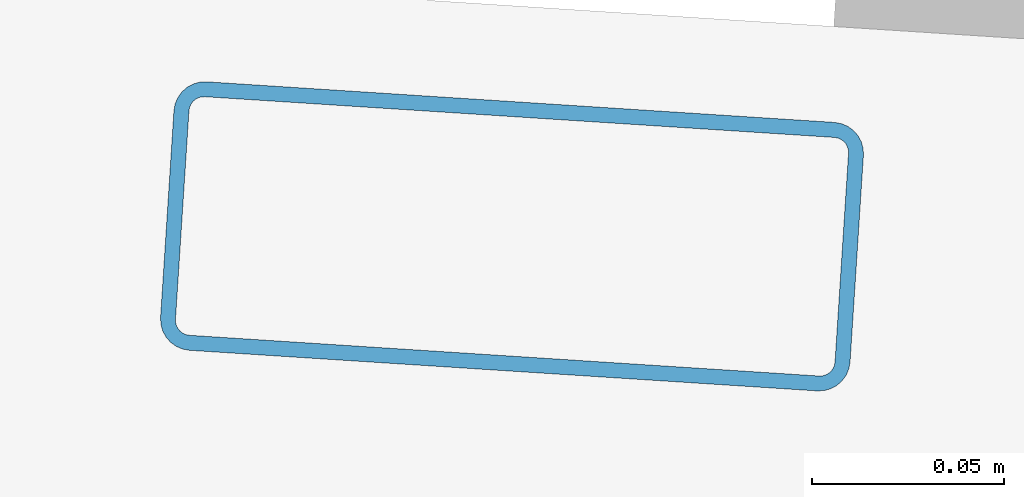
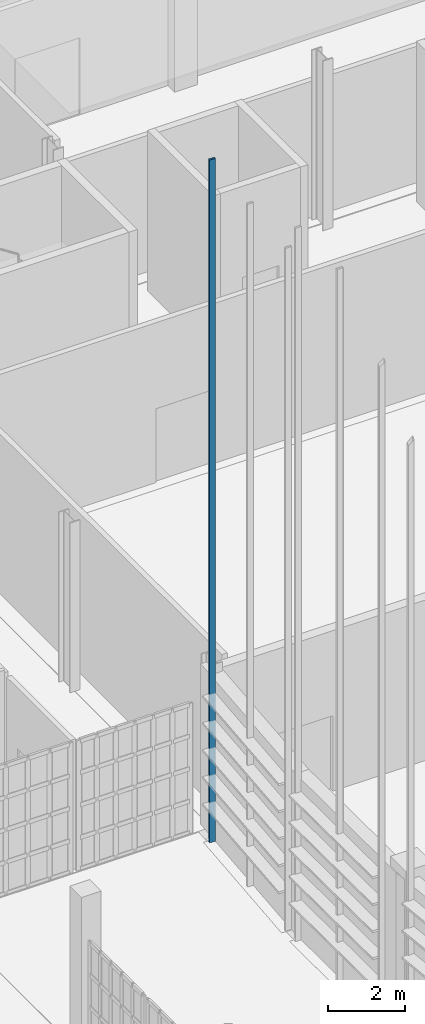
# One storey, part 98 of 372: 1 member.
"""IFC4 building model written with IfcOpenShell, lengths in metres."""

from ifc_helpers import new_model, si_unit, direction, frame, origin, origin_2d, place, context, subcontext, project, spatial, hollow_rectangle, extrude, material, material_profile, profile_set, type_object, element, save


model = new_model("IFC4")

# Units and contexts
model_context = context("Model", 3, precision=1e-05, world=origin(), true_north=direction((0.0, 1.0)))
body_context = subcontext(model_context, "Body", "Model", "MODEL_VIEW")
ifc_project = project(units=[si_unit("LENGTHUNIT", "METRE"), si_unit("AREAUNIT", "SQUARE_METRE"), si_unit("VOLUMEUNIT", "CUBIC_METRE"), si_unit("PLANEANGLEUNIT", "RADIAN"), si_unit("MASSUNIT", "GRAM", prefix="KILO")], contexts=[model_context])

# Site, building, storey
site_placement = place(None, origin())
site = spatial("IfcSite", under=ifc_project, at=site_placement, CompositionType="ELEMENT")
building_placement = place(site_placement, origin())
building = spatial("IfcBuilding", under=site, at=building_placement, Name="Kaelora Sail Theatre", CompositionType="ELEMENT")
storey_placement = place(building_placement, origin())
storey = spatial("IfcBuildingStorey", under=building, at=storey_placement, Name="L00", CompositionType="ELEMENT", Elevation=0.0)

# Member
ifc_material = material(Name="Anodised aluminium 6063-T6", Category="aluminium")
ifc_material_profile = material_profile(ifc_material, hollow_rectangle(XDim=0.070068359375, YDim=0.179931640625, WallThickness=0.00390625, InnerFilletRadius=0.00390625, OuterFilletRadius=0.008056640625, at=origin_2d()), Name="ALU-MULL 70x180x4")
ifc_profile_set = profile_set([ifc_material_profile], Name="Anodised aluminium 6063-T6")
member_type = type_object("IfcMemberType", Name="ARC-MEM-PST-160", PredefinedType="POST", material=ifc_profile_set)
member_placement = place(storey_placement, frame((25.48388671875, 60.47021484375, 0.0), z_axis=(0.0, 0.0, 1.0), x_axis=(0.064532308253, 0.997915618272, 0.0)))
element("IfcMember", 1, at=member_placement, inside=storey, type_object=member_type, Name="Main Theatre Sail Drum solar louvre vertical support post C22-3", PredefinedType="POST", context=body_context, shape_type="SweptSolid", body=[
    extrude(hollow_rectangle(XDim=0.070068359375, YDim=0.179931640625, WallThickness=0.00390625, InnerFilletRadius=0.00390625, OuterFilletRadius=0.008056640625, at=origin_2d()), origin(), (0.0, 0.0, 1.0), 21.716796875),
])

save(model, "model.ifc")
